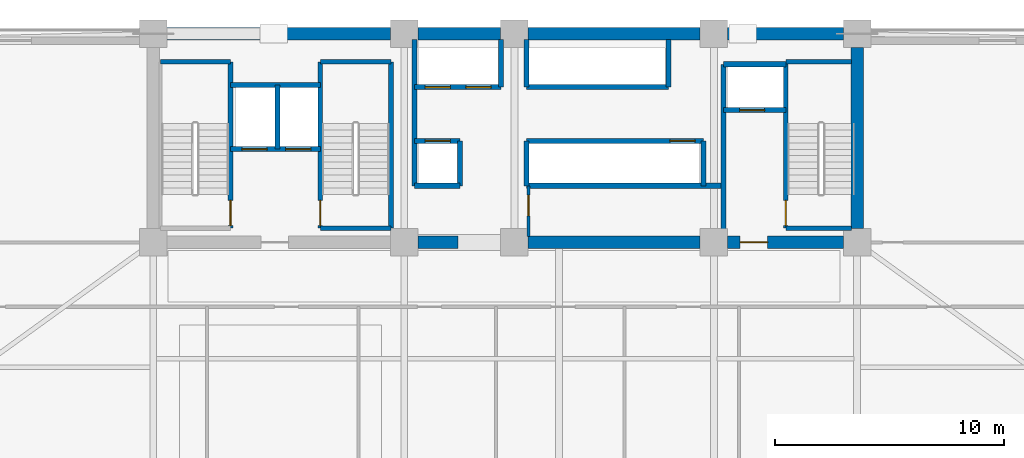
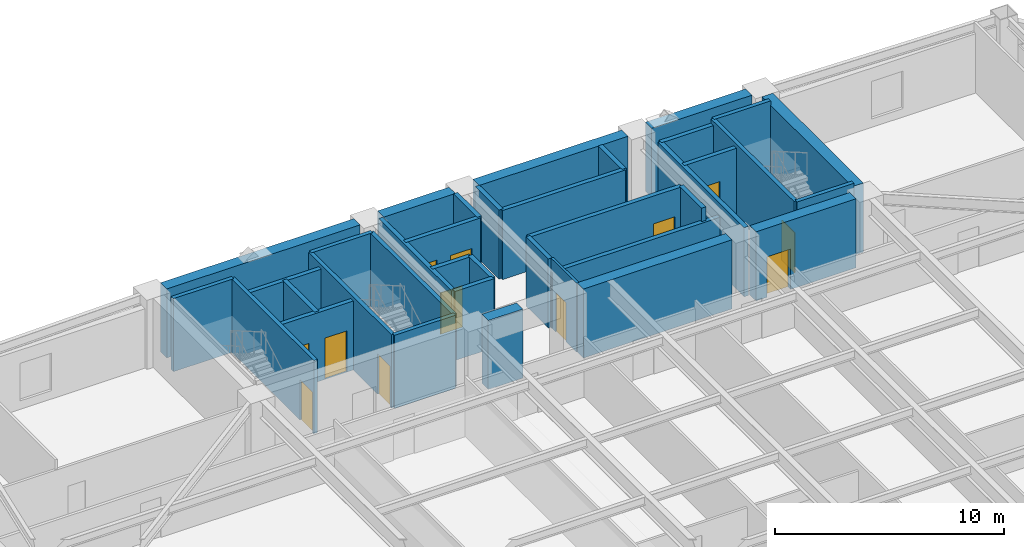
# One storey, part 9 of 15: 37 walls, 12 doors, 12 openings.
"""IFC4 building model written with IfcOpenShell, lengths in metres."""

from ifc_helpers import new_model, si_unit, direction, frame, frame_2d, origin, place, context, subcontext, project, spatial, rectangle, extrude, source, transform, mapped, material, layer, layer_set, type_object, element, fill, save


model = new_model("IFC4")

# Units and contexts
model_context = context("Model", 3, precision=1e-05, world=origin(), true_north=direction((0.0, 1.0)))
body_context = subcontext(model_context, "Body", "Model", "MODEL_VIEW")
ifc_project = project(units=[si_unit("LENGTHUNIT", "METRE"), si_unit("AREAUNIT", "SQUARE_METRE"), si_unit("VOLUMEUNIT", "CUBIC_METRE"), si_unit("PLANEANGLEUNIT", "RADIAN"), si_unit("MASSUNIT", "GRAM", prefix="KILO")], contexts=[model_context])

# Site, building, storey
site_placement = place(None, origin())
site = spatial("IfcSite", under=ifc_project, at=site_placement, CompositionType="ELEMENT")
building_placement = place(site_placement, origin())
building = spatial("IfcBuilding", under=site, at=building_placement, Name="Giltprow Tower", CompositionType="ELEMENT")
storey_placement = place(building_placement, frame((0.0, 0.0, 111.39990234375)))
storey = spatial("IfcBuildingStorey", under=building, at=storey_placement, Name="L27", CompositionType="ELEMENT", Elevation=111.39990234375)

# Wall, openings, doors
ifc_material_1 = material(Name="Concrete C40", Category="concrete")
ifc_layer_1 = layer(ifc_material_1, 0.219970703125, Name="Concrete C40")
ifc_layer_set_1 = layer_set([ifc_layer_1], Name="Concrete C40")
wall_type_1 = type_object("IfcWallType", Name="IW-SHAFT-220", PredefinedType="SOLIDWALL", material=ifc_layer_set_1)
wall_1_placement = place(storey_placement, frame((23.219970703125, 41.52001953125, 0.0), z_axis=(0.0, 0.0, 1.0), x_axis=(1.0, 0.0, 0.0)))
wall_1 = element("IfcWall", 1, at=wall_1_placement, inside=storey, type_object=wall_type_1, Name="L27 FFL1 and Service Lift Front Wall", PredefinedType="SOLIDWALL", context=body_context, shape_type="SweptSolid", body=[
    extrude(rectangle(XDim=3.919921875, YDim=0.219970703125, at=frame_2d((1.9599609375, 0.0))), origin(), (0.0, 0.0, 1.0), 3.68017578125),
])
opening_1_placement = place(wall_1_placement, frame((0.5, 0.0, 0.0)))
opening_1 = element("IfcOpeningElement", 2, at=opening_1_placement, cuts=wall_1, Name="Opening LD-11", PredefinedType="OPENING", context=body_context, shape_type="SweptSolid", body=[
    extrude(rectangle(XDim=1.10009765625, YDim=2.199951171875, at=frame_2d((0.550048828125, 1.10009765625))), frame((0.0, 0.119873046875, 0.0), z_axis=(0.0, -1.0, 0.0), x_axis=(1.0, 0.0, 0.0)), (0.0, 0.0, 1.0), 0.239990234375),
])
opening_2_placement = place(wall_1_placement, frame((2.39990234375, 0.0, 0.0)))
opening_2 = element("IfcOpeningElement", 3, at=opening_2_placement, cuts=wall_1, Name="Opening LD-11", PredefinedType="OPENING", context=body_context, shape_type="SweptSolid", body=[
    extrude(rectangle(XDim=1.10009765625, YDim=2.199951171875, at=frame_2d((0.550048828125, 1.10009765625))), frame((0.0, 0.119873046875, 0.0), z_axis=(0.0, -1.0, 0.0), x_axis=(1.0, 0.0, 0.0)), (0.0, 0.0, 1.0), 0.239990234375),
])
ifc_material_2 = material(Name="Stainless steel", Category="steel")
door_type_1 = type_object("IfcDoorType", Name="DR-LIFT-LD1100", OperationType="SLIDING_TO_LEFT", PredefinedType="DOOR", material=ifc_material_2)
shared_shape_1 = source(origin(), body_context, "Body", "SweptSolid", [
    extrude(rectangle(XDim=1.10009765625, YDim=2.199951171875, at=frame_2d((0.550048828125, 1.10009765625))), frame((0.0, 0.02490234375, 0.0), z_axis=(0.0, -1.0, 0.0), x_axis=(1.0, 0.0, 0.0)), (0.0, 0.0, 1.0), 0.050048828125),
])
door_1_placement = place(opening_1_placement, origin())
door_1 = element("IfcDoor", 4, at=door_1_placement, inside=storey, type_object=door_type_1, Name="L27 FFL1 Landing Door", OperationType="SLIDING_TO_LEFT", OverallHeight=2.199951171875, OverallWidth=1.10009765625, PredefinedType="DOOR", context=body_context, shape_type="MappedRepresentation", body=[
    mapped(shared_shape_1, transform((0.0, 0.0, 0.0), x_axis=(1.0, 0.0, 0.0), y_axis=(0.0, 1.0, 0.0), z_axis=(0.0, 0.0, 1.0), scale=1.0)),
])
fill(opening_1, door_1)
door_2_placement = place(opening_2_placement, origin())
door_2 = element("IfcDoor", 5, at=door_2_placement, inside=storey, type_object=door_type_1, Name="L27 SVL1 Landing Door", OperationType="SLIDING_TO_LEFT", OverallHeight=2.199951171875, OverallWidth=1.10009765625, PredefinedType="DOOR", context=body_context, shape_type="MappedRepresentation", body=[
    mapped(shared_shape_1, transform((0.0, 0.0, 0.0), x_axis=(1.0, 0.0, 0.0), y_axis=(0.0, 1.0, 0.0), z_axis=(0.0, 0.0, 1.0), scale=1.0)),
])
fill(opening_2, door_2)

# Walls
wall_2_placement = place(storey_placement, frame((25.260009765625, 41.52001953125, 0.0), z_axis=(0.0, 0.0, 1.0), x_axis=(0.0, 1.0, 0.0)))
element("IfcWall", 6, at=wall_2_placement, inside=storey, type_object=wall_type_1, Name="L27 FFL1-SVL1 Shaft Divider", PredefinedType="SOLIDWALL", context=body_context, shape_type="SweptSolid", body=[
    extrude(rectangle(XDim=2.800048828125, YDim=0.219970703125, at=frame_2d((1.39990234375, 0.0))), origin(), (0.0, 0.0, 1.0), 3.68017578125),
])
wall_3_placement = place(storey_placement, frame((23.219970703125, 44.320068359375, 0.0), z_axis=(0.0, 0.0, 1.0), x_axis=(1.0, 0.0, 0.0)))
element("IfcWall", 7, at=wall_3_placement, inside=storey, type_object=wall_type_1, Name="L27 FFL1-SVL1 Back Shaft Wall", PredefinedType="SOLIDWALL", context=body_context, shape_type="SweptSolid", body=[
    extrude(rectangle(XDim=3.919921875, YDim=0.219970703125, at=frame_2d((1.9599609375, 0.0))), origin(), (0.0, 0.0, 1.0), 3.68017578125),
])

# Wall, opening, door
wall_4_placement = place(storey_placement, frame((44.719970703125, 43.219970703125, 0.0), z_axis=(0.0, 0.0, 1.0), x_axis=(1.0, 0.0, 0.0)))
wall_4 = element("IfcWall", 8, at=wall_4_placement, inside=storey, type_object=wall_type_1, Name="L27 FFL2 Front Shaft Wall", PredefinedType="SOLIDWALL", context=body_context, shape_type="SweptSolid", body=[
    extrude(rectangle(XDim=2.719970703125, YDim=0.219970703125, at=frame_2d((1.35986328125, 0.0))), origin(), (0.0, 0.0, 1.0), 3.68017578125),
])
opening_3_placement = place(wall_4_placement, frame((0.699951171875, 0.0, 0.0)))
opening_3 = element("IfcOpeningElement", 9, at=opening_3_placement, cuts=wall_4, Name="Opening LD-11", PredefinedType="OPENING", context=body_context, shape_type="SweptSolid", body=[
    extrude(rectangle(XDim=1.10009765625, YDim=2.199951171875, at=frame_2d((0.550048828125, 1.10009765625))), frame((0.0, 0.119873046875, 0.0), z_axis=(0.0, -1.0, 0.0), x_axis=(1.0, 0.0, 0.0)), (0.0, 0.0, 1.0), 0.239990234375),
])
door_3_placement = place(opening_3_placement, origin())
door_3 = element("IfcDoor", 10, at=door_3_placement, inside=storey, type_object=door_type_1, Name="L27 FFL2 Landing Door", OperationType="SLIDING_TO_LEFT", OverallHeight=2.199951171875, OverallWidth=1.10009765625, PredefinedType="DOOR", context=body_context, shape_type="MappedRepresentation", body=[
    mapped(shared_shape_1, transform((0.0, 0.0, 0.0), x_axis=(1.0, 0.0, 0.0), y_axis=(0.0, 1.0, 0.0), z_axis=(0.0, 0.0, 1.0), scale=1.0)),
])
fill(opening_3, door_3)

# Walls
wall_5_placement = place(storey_placement, frame((44.719970703125, 45.219970703125, 0.0), z_axis=(0.0, 0.0, 1.0), x_axis=(1.0, 0.0, 0.0)))
element("IfcWall", 11, at=wall_5_placement, inside=storey, type_object=wall_type_1, Name="L27 FFL2 Back Shaft Wall", PredefinedType="SOLIDWALL", context=body_context, shape_type="SweptSolid", body=[
    extrude(rectangle(XDim=2.719970703125, YDim=0.219970703125, at=frame_2d((1.35986328125, 0.0))), origin(), (0.0, 0.0, 1.0), 3.68017578125),
])
wall_6_placement = place(storey_placement, frame((44.719970703125, 37.705078125, 0.0), z_axis=(0.0, 0.0, 1.0), x_axis=(0.0, 1.0, 0.0)))
element("IfcWall", 12, at=wall_6_placement, inside=storey, type_object=wall_type_1, Name="L27 East Firefighting Lobby West Wall", PredefinedType="SOLIDWALL", context=body_context, shape_type="SweptSolid", body=[
    extrude(rectangle(XDim=7.514892578125, YDim=0.219970703125, at=frame_2d((3.75732421875, 0.0))), origin(), (0.0, 0.0, 1.0), 3.68017578125),
])

# Wall, openings, doors
wall_7_placement = place(storey_placement, frame((31.25, 44.219970703125, 0.0), z_axis=(0.0, 0.0, 1.0), x_axis=(1.0, 0.0, 0.0)))
wall_7 = element("IfcWall", 13, at=wall_7_placement, inside=storey, type_object=wall_type_1, Name="L27 North West Lift Shaft Front Wall", PredefinedType="SOLIDWALL", context=body_context, shape_type="SweptSolid", body=[
    extrude(rectangle(XDim=3.77001953125, YDim=0.219970703125, at=frame_2d((1.885009765625, 0.0))), origin(), (0.0, 0.0, 1.0), 3.68017578125),
])
opening_4_placement = place(wall_7_placement, frame((0.4599609375, 0.0, 0.0)))
opening_4 = element("IfcOpeningElement", 14, at=opening_4_placement, cuts=wall_7, Name="Opening LD-11", PredefinedType="OPENING", context=body_context, shape_type="SweptSolid", body=[
    extrude(rectangle(XDim=1.10009765625, YDim=2.199951171875, at=frame_2d((0.550048828125, 1.10009765625))), frame((0.0, 0.119873046875, 0.0), z_axis=(0.0, -1.0, 0.0), x_axis=(1.0, 0.0, 0.0)), (0.0, 0.0, 1.0), 0.239990234375),
])
opening_5_placement = place(wall_7_placement, frame((2.239990234375, 0.0, 0.0)))
opening_5 = element("IfcOpeningElement", 15, at=opening_5_placement, cuts=wall_7, Name="Opening LD-11", PredefinedType="OPENING", context=body_context, shape_type="SweptSolid", body=[
    extrude(rectangle(XDim=1.10009765625, YDim=2.199951171875, at=frame_2d((0.550048828125, 1.10009765625))), frame((0.0, 0.119873046875, 0.0), z_axis=(0.0, -1.0, 0.0), x_axis=(1.0, 0.0, 0.0)), (0.0, 0.0, 1.0), 0.239990234375),
])
door_4_placement = place(opening_4_placement, origin())
door_4 = element("IfcDoor", 16, at=door_4_placement, inside=storey, type_object=door_type_1, Name="L27 PL-L1 Landing Door", OperationType="SLIDING_TO_LEFT", OverallHeight=2.199951171875, OverallWidth=1.10009765625, PredefinedType="DOOR", context=body_context, shape_type="MappedRepresentation", body=[
    mapped(shared_shape_1, transform((0.0, 0.0, 0.0), x_axis=(1.0, 0.0, 0.0), y_axis=(0.0, 1.0, 0.0), z_axis=(0.0, 0.0, 1.0), scale=1.0)),
])
fill(opening_4, door_4)
door_5_placement = place(opening_5_placement, origin())
door_5 = element("IfcDoor", 17, at=door_5_placement, inside=storey, type_object=door_type_1, Name="L27 PL-L2 Landing Door", OperationType="SLIDING_TO_LEFT", OverallHeight=2.199951171875, OverallWidth=1.10009765625, PredefinedType="DOOR", context=body_context, shape_type="MappedRepresentation", body=[
    mapped(shared_shape_1, transform((0.0, 0.0, 0.0), x_axis=(1.0, 0.0, 0.0), y_axis=(0.0, 1.0, 0.0), z_axis=(0.0, 0.0, 1.0), scale=1.0)),
])
fill(opening_5, door_5)

# Walls
wall_8_placement = place(storey_placement, frame((36.1201171875, 44.219970703125, 0.0), z_axis=(0.0, 0.0, 1.0), x_axis=(1.0, 0.0, 0.0)))
element("IfcWall", 18, at=wall_8_placement, inside=storey, type_object=wall_type_1, Name="L27 North East Lift Shaft Front Wall", PredefinedType="SOLIDWALL", context=body_context, shape_type="SweptSolid", body=[
    extrude(rectangle(XDim=6.199951171875, YDim=0.219970703125, at=frame_2d((3.10009765625, 0.0))), origin(), (0.0, 0.0, 1.0), 3.68017578125),
])
for number, where, z_axis, x_axis, name in (
    (19, (35.02001953125, 44.219970703125, 0.0), (0.0, 0.0, 1.0), (0.0, 1.0, 0.0), "L27 North West Lift Shaft East Closure"),
    (20, (36.1201171875, 44.219970703125, 0.0), (0.0, 0.0, 1.0), (0.0, 1.0, 0.0), "L27 North East Lift Shaft West Closure"),
    (21, (42.320068359375, 44.219970703125, 0.0), (0.0, 0.0, 1.0), (0.0, 1.0, 0.0), "L27 North East Lift Shaft East Closure"),
):
    element("IfcWall", number, at=place(storey_placement, frame(where, z_axis=z_axis, x_axis=x_axis)), inside=storey, type_object=wall_type_1, Name=name, PredefinedType="SOLIDWALL", context=body_context, shape_type="SweptSolid", body=[
        extrude(rectangle(XDim=2.074951171875, YDim=0.219970703125, at=frame_2d((1.03759765625, 0.0))), origin(), (0.0, 0.0, 1.0), 3.68017578125),
    ])

# Wall, opening, door
wall_9_placement = place(storey_placement, frame((31.25, 41.8798828125, 0.0), z_axis=(0.0, 0.0, 1.0), x_axis=(1.0, 0.0, 0.0)))
wall_9 = element("IfcWall", 22, at=wall_9_placement, inside=storey, type_object=wall_type_1, Name="L27 South West Lift Shaft Front Wall", PredefinedType="SOLIDWALL", context=body_context, shape_type="SweptSolid", body=[
    extrude(rectangle(XDim=1.969970703125, YDim=0.219970703125, at=frame_2d((0.98486328125, 0.0))), origin(), (0.0, 0.0, 1.0), 3.68017578125),
])
opening_6_placement = place(wall_9_placement, frame((0.4599609375, 0.0, 0.0)))
opening_6 = element("IfcOpeningElement", 23, at=opening_6_placement, cuts=wall_9, Name="Opening LD-11", PredefinedType="OPENING", context=body_context, shape_type="SweptSolid", body=[
    extrude(rectangle(XDim=1.10009765625, YDim=2.199951171875, at=frame_2d((0.550048828125, 1.10009765625))), frame((0.0, 0.119873046875, 0.0), z_axis=(0.0, -1.0, 0.0), x_axis=(1.0, 0.0, 0.0)), (0.0, 0.0, 1.0), 0.239990234375),
])
door_6_placement = place(opening_6_placement, origin())
door_6 = element("IfcDoor", 24, at=door_6_placement, inside=storey, type_object=door_type_1, Name="L27 PL-L3 Landing Door", OperationType="SLIDING_TO_LEFT", OverallHeight=2.199951171875, OverallWidth=1.10009765625, PredefinedType="DOOR", context=body_context, shape_type="MappedRepresentation", body=[
    mapped(shared_shape_1, transform((0.0, 0.0, 0.0), x_axis=(1.0, 0.0, 0.0), y_axis=(0.0, 1.0, 0.0), z_axis=(0.0, 0.0, 1.0), scale=1.0)),
])
fill(opening_6, door_6)

wall_10_placement = place(storey_placement, frame((36.1201171875, 41.8798828125, 0.0), z_axis=(0.0, 0.0, 1.0), x_axis=(1.0, 0.0, 0.0)))
wall_10 = element("IfcWall", 25, at=wall_10_placement, inside=storey, type_object=wall_type_1, Name="L27 South East Lift Shaft Front Wall", PredefinedType="SOLIDWALL", context=body_context, shape_type="SweptSolid", body=[
    extrude(rectangle(XDim=7.72998046875, YDim=0.219970703125, at=frame_2d((3.864990234375, 0.0))), origin(), (0.0, 0.0, 1.0), 3.68017578125),
])
opening_7_placement = place(wall_10_placement, frame((6.260009765625, 0.0, 0.0)))
opening_7 = element("IfcOpeningElement", 26, at=opening_7_placement, cuts=wall_10, Name="Opening LD-11", PredefinedType="OPENING", context=body_context, shape_type="SweptSolid", body=[
    extrude(rectangle(XDim=1.10009765625, YDim=2.199951171875, at=frame_2d((0.550048828125, 1.10009765625))), frame((0.0, 0.119873046875, 0.0), z_axis=(0.0, -1.0, 0.0), x_axis=(1.0, 0.0, 0.0)), (0.0, 0.0, 1.0), 0.239990234375),
])
door_7_placement = place(opening_7_placement, origin())
door_7 = element("IfcDoor", 27, at=door_7_placement, inside=storey, type_object=door_type_1, Name="L27 PL-L4 Landing Door", OperationType="SLIDING_TO_LEFT", OverallHeight=2.199951171875, OverallWidth=1.10009765625, PredefinedType="DOOR", context=body_context, shape_type="MappedRepresentation", body=[
    mapped(shared_shape_1, transform((0.0, 0.0, 0.0), x_axis=(1.0, 0.0, 0.0), y_axis=(0.0, 1.0, 0.0), z_axis=(0.0, 0.0, 1.0), scale=1.0)),
])
fill(opening_7, door_7)

# Walls
wall_11_placement = place(storey_placement, frame((31.25, 39.919921875, 0.0), z_axis=(0.0, 0.0, 1.0), x_axis=(1.0, 0.0, 0.0)))
element("IfcWall", 28, at=wall_11_placement, inside=storey, type_object=wall_type_1, Name="L27 Low-Rise South Lift Back Wall", PredefinedType="SOLIDWALL", context=body_context, shape_type="SweptSolid", body=[
    extrude(rectangle(XDim=1.969970703125, YDim=0.219970703125, at=frame_2d((0.98486328125, 0.0))), origin(), (0.0, 0.0, 1.0), 3.68017578125),
])
wall_12_placement = place(storey_placement, frame((33.219970703125, 39.919921875, 0.0), z_axis=(0.0, 0.0, 1.0), x_axis=(0.0, 1.0, 0.0)))
element("IfcWall", 29, at=wall_12_placement, inside=storey, type_object=wall_type_1, Name="L27 Low-Rise South Lift East Closure", PredefinedType="SOLIDWALL", context=body_context, shape_type="SweptSolid", body=[
    extrude(rectangle(XDim=1.9599609375, YDim=0.219970703125, at=frame_2d((0.97998046875, 0.0))), origin(), (0.0, 0.0, 1.0), 3.68017578125),
])
wall_13_placement = place(storey_placement, frame((36.1201171875, 39.919921875, 0.0), z_axis=(0.0, 0.0, 1.0), x_axis=(1.0, 0.0, 0.0)))
element("IfcWall", 30, at=wall_13_placement, inside=storey, type_object=wall_type_1, Name="L27 Express South Shaft Back Wall", PredefinedType="SOLIDWALL", context=body_context, shape_type="SweptSolid", body=[
    extrude(rectangle(XDim=8.599853515625, YDim=0.219970703125, at=frame_2d((4.2998046875, 0.0))), origin(), (0.0, 0.0, 1.0), 2.965087890625),
])
wall_14_placement = place(storey_placement, frame((36.1201171875, 39.919921875, 0.0), z_axis=(0.0, 0.0, 1.0), x_axis=(0.0, 1.0, 0.0)))
element("IfcWall", 31, at=wall_14_placement, inside=storey, type_object=wall_type_1, Name="L27 Express South Shaft West Closure", PredefinedType="SOLIDWALL", context=body_context, shape_type="SweptSolid", body=[
    extrude(rectangle(XDim=1.9599609375, YDim=0.219970703125, at=frame_2d((0.97998046875, 0.0))), origin(), (0.0, 0.0, 1.0), 3.68017578125),
])
wall_15_placement = place(storey_placement, frame((31.25, 39.919921875, 0.0), z_axis=(0.0, 0.0, 1.0), x_axis=(0.0, 1.0, 0.0)))
element("IfcWall", 32, at=wall_15_placement, inside=storey, type_object=wall_type_1, Name="L27 Lift Bank West Closure", PredefinedType="SOLIDWALL", context=body_context, shape_type="SweptSolid", body=[
    extrude(rectangle(XDim=6.375, YDim=0.219970703125, at=frame_2d((3.1875, 0.0))), origin(), (0.0, 0.0, 1.0), 3.68017578125),
])
wall_16_placement = place(storey_placement, frame((43.85009765625, 39.919921875, 0.0), z_axis=(0.0, 0.0, 1.0), x_axis=(0.0, 1.0, 0.0)))
element("IfcWall", 33, at=wall_16_placement, inside=storey, type_object=wall_type_1, Name="L27 Lift Bank South-East Closure", PredefinedType="SOLIDWALL", context=body_context, shape_type="SweptSolid", body=[
    extrude(rectangle(XDim=1.9599609375, YDim=0.219970703125, at=frame_2d((0.97998046875, 0.0))), origin(), (0.0, 0.0, 1.0), 3.68017578125),
])

# Wall, opening, door
ifc_layer_2 = layer(ifc_material_1, 0.199951171875, Name="Concrete C40")
ifc_layer_set_2 = layer_set([ifc_layer_2], Name="Concrete C40")
wall_type_2 = type_object("IfcWallType", Name="IW-STAIR-200", PredefinedType="SOLIDWALL", material=ifc_layer_set_2)
wall_17_placement = place(storey_placement, frame((23.219970703125, 38.070068359375, 0.0), z_axis=(0.0, 0.0, 1.0), x_axis=(0.0, 1.0, 0.0)))
wall_17 = element("IfcWall", 34, at=wall_17_placement, inside=storey, type_object=wall_type_2, Name="L27 Stair ST-1 East Bearing Wall", PredefinedType="SOLIDWALL", context=body_context, shape_type="SweptSolid", body=[
    extrude(rectangle(XDim=7.25, YDim=0.199951171875, at=frame_2d((3.625, 0.0))), origin(), (0.0, 0.0, 1.0), 3.900146484375),
])
opening_8_placement = place(wall_17_placement, frame((0.110107421875, 0.0, 0.0)))
opening_8 = element("IfcOpeningElement", 35, at=opening_8_placement, cuts=wall_17, Name="Opening ID33", PredefinedType="OPENING", context=body_context, shape_type="SweptSolid", body=[
    extrude(rectangle(XDim=1.10009765625, YDim=2.14990234375, at=frame_2d((0.550048828125, 1.074951171875))), frame((0.0, 0.10986328125, 0.0), z_axis=(0.0, -1.0, 0.0), x_axis=(1.0, 0.0, 0.0)), (0.0, 0.0, 1.0), 0.219970703125),
])
ifc_material_3 = material(Name="Steel fire leaf", Category="steel")
door_type_2 = type_object("IfcDoorType", Name="DR-STAIR-1100", OperationType="SINGLE_SWING_LEFT", PredefinedType="DOOR", material=ifc_material_3)
shared_shape_2 = source(origin(), body_context, "Body", "SweptSolid", [
    extrude(rectangle(XDim=1.10009765625, YDim=2.14990234375, at=frame_2d((0.550048828125, 1.074951171875))), frame((0.0, 0.02490234375, 0.0), z_axis=(0.0, -1.0, 0.0), x_axis=(1.0, 0.0, 0.0)), (0.0, 0.0, 1.0), 0.050048828125),
])
door_8_placement = place(opening_8_placement, origin())
door_8 = element("IfcDoor", 36, at=door_8_placement, inside=storey, type_object=door_type_2, Name="L27 Stair ST-1 Fire Door", OperationType="SINGLE_SWING_LEFT", OverallHeight=2.14990234375, OverallWidth=1.10009765625, PredefinedType="DOOR", context=body_context, shape_type="MappedRepresentation", body=[
    mapped(shared_shape_2, transform((0.0, 0.0, 0.0), x_axis=(1.0, 0.0, 0.0), y_axis=(0.0, 1.0, 0.0), z_axis=(0.0, 0.0, 1.0), scale=1.0)),
])
fill(opening_8, door_8)

# Wall
wall_18_placement = place(storey_placement, frame((20.169921875, 45.320068359375, 0.0), z_axis=(0.0, 0.0, 1.0), x_axis=(1.0, 0.0, 0.0)))
element("IfcWall", 37, at=wall_18_placement, inside=storey, type_object=wall_type_2, Name="L27 Stair ST-1 North Bearing Wall", PredefinedType="SOLIDWALL", context=body_context, shape_type="SweptSolid", body=[
    extrude(rectangle(XDim=3.050048828125, YDim=0.199951171875, at=frame_2d((1.52490234375, 0.0))), origin(), (0.0, 0.0, 1.0), 3.900146484375),
])

# Wall, opening, door
wall_19_placement = place(storey_placement, frame((27.139892578125, 38.070068359375, 0.0), z_axis=(0.0, 0.0, 1.0), x_axis=(0.0, 1.0, 0.0)))
wall_19 = element("IfcWall", 38, at=wall_19_placement, inside=storey, type_object=wall_type_2, Name="L27 Stair ST-2 West Bearing Wall", PredefinedType="SOLIDWALL", context=body_context, shape_type="SweptSolid", body=[
    extrude(rectangle(XDim=7.25, YDim=0.199951171875, at=frame_2d((3.625, 0.0))), origin(), (0.0, 0.0, 1.0), 3.900146484375),
])
opening_9_placement = place(wall_19_placement, frame((0.110107421875, 0.0, 0.0)))
opening_9 = element("IfcOpeningElement", 39, at=opening_9_placement, cuts=wall_19, Name="Opening ID33", PredefinedType="OPENING", context=body_context, shape_type="SweptSolid", body=[
    extrude(rectangle(XDim=1.10009765625, YDim=2.14990234375, at=frame_2d((0.550048828125, 1.074951171875))), frame((0.0, 0.10986328125, 0.0), z_axis=(0.0, -1.0, 0.0), x_axis=(1.0, 0.0, 0.0)), (0.0, 0.0, 1.0), 0.219970703125),
])
door_9_placement = place(opening_9_placement, origin())
door_9 = element("IfcDoor", 40, at=door_9_placement, inside=storey, type_object=door_type_2, Name="L27 Stair ST-2 Fire Door", OperationType="SINGLE_SWING_RIGHT", OverallHeight=2.14990234375, OverallWidth=1.10009765625, PredefinedType="DOOR", context=body_context, shape_type="MappedRepresentation", body=[
    mapped(shared_shape_2, transform((0.0, 0.0, 0.0), x_axis=(1.0, 0.0, 0.0), y_axis=(0.0, 1.0, 0.0), z_axis=(0.0, 0.0, 1.0), scale=1.0)),
])
fill(opening_9, door_9)

# Walls
wall_20_placement = place(storey_placement, frame((30.219970703125, 38.070068359375, 0.0), z_axis=(0.0, 0.0, 1.0), x_axis=(0.0, 1.0, 0.0)))
element("IfcWall", 41, at=wall_20_placement, inside=storey, type_object=wall_type_2, Name="L27 Stair ST-2 East Bearing Wall", PredefinedType="SOLIDWALL", context=body_context, shape_type="SweptSolid", body=[
    extrude(rectangle(XDim=7.25, YDim=0.199951171875, at=frame_2d((3.625, 0.0))), origin(), (0.0, 0.0, 1.0), 3.900146484375),
])
for number, where, z_axis, x_axis, name in (
    (42, (27.139892578125, 45.320068359375, 0.0), (0.0, 0.0, 1.0), (1.0, 0.0, 0.0), "L27 Stair ST-2 North Bearing Wall"),
    (43, (27.139892578125, 38.070068359375, 0.0), (0.0, 0.0, 1.0), (1.0, 0.0, 0.0), "L27 Stair ST-2 South Bearing Wall"),
):
    element("IfcWall", number, at=place(storey_placement, frame(where, z_axis=z_axis, x_axis=x_axis)), inside=storey, type_object=wall_type_2, Name=name, PredefinedType="SOLIDWALL", context=body_context, shape_type="SweptSolid", body=[
        extrude(rectangle(XDim=3.080078125, YDim=0.199951171875, at=frame_2d((1.5400390625, 0.0))), origin(), (0.0, 0.0, 1.0), 3.900146484375),
    ])

# Wall, opening, door
wall_21_placement = place(storey_placement, frame((47.43994140625, 38.070068359375, 0.0), z_axis=(0.0, 0.0, 1.0), x_axis=(0.0, 1.0, 0.0)))
wall_21 = element("IfcWall", 44, at=wall_21_placement, inside=storey, type_object=wall_type_2, Name="L27 Stair ST-3 West Bearing Wall", PredefinedType="SOLIDWALL", context=body_context, shape_type="SweptSolid", body=[
    extrude(rectangle(XDim=7.25, YDim=0.199951171875, at=frame_2d((3.625, 0.0))), origin(), (0.0, 0.0, 1.0), 3.900146484375),
])
opening_10_placement = place(wall_21_placement, frame((0.110107421875, 0.0, 0.0)))
opening_10 = element("IfcOpeningElement", 45, at=opening_10_placement, cuts=wall_21, Name="Opening ID33", PredefinedType="OPENING", context=body_context, shape_type="SweptSolid", body=[
    extrude(rectangle(XDim=1.10009765625, YDim=2.14990234375, at=frame_2d((0.550048828125, 1.074951171875))), frame((0.0, 0.10986328125, 0.0), z_axis=(0.0, -1.0, 0.0), x_axis=(1.0, 0.0, 0.0)), (0.0, 0.0, 1.0), 0.219970703125),
])
door_10_placement = place(opening_10_placement, origin())
door_10 = element("IfcDoor", 46, at=door_10_placement, inside=storey, type_object=door_type_2, Name="L27 Stair ST-3 Fire Door", OperationType="SINGLE_SWING_LEFT", OverallHeight=2.14990234375, OverallWidth=1.10009765625, PredefinedType="DOOR", context=body_context, shape_type="MappedRepresentation", body=[
    mapped(shared_shape_2, transform((0.0, 0.0, 0.0), x_axis=(1.0, 0.0, 0.0), y_axis=(0.0, 1.0, 0.0), z_axis=(0.0, 0.0, 1.0), scale=1.0)),
])
fill(opening_10, door_10)

# Walls
for number, where, z_axis, x_axis, name in (
    (47, (47.43994140625, 45.320068359375, 0.0), (0.0, 0.0, 1.0), (1.0, 0.0, 0.0), "L27 Stair ST-3 North Bearing Wall"),
    (48, (47.43994140625, 38.070068359375, 0.0), (0.0, 0.0, 1.0), (1.0, 0.0, 0.0), "L27 Stair ST-3 South Bearing Wall"),
):
    element("IfcWall", number, at=place(storey_placement, frame(where, z_axis=z_axis, x_axis=x_axis)), inside=storey, type_object=wall_type_2, Name=name, PredefinedType="SOLIDWALL", context=body_context, shape_type="SweptSolid", body=[
        extrude(rectangle(XDim=2.85498046875, YDim=0.199951171875, at=frame_2d((1.427490234375, 0.0))), origin(), (0.0, 0.0, 1.0), 3.900146484375),
    ])

# Wall, opening, door
ifc_material_4 = material(Name="Concrete C30", Category="concrete")
ifc_layer_3 = layer(ifc_material_4, 0.1298828125, Name="Concrete C30")
ifc_layer_set_3 = layer_set([ifc_layer_3], Name="Concrete C30")
wall_type_3 = type_object("IfcWallType", Name="IW-WET-130", PredefinedType="PARTITIONING", material=ifc_layer_set_3)
wall_22_placement = place(storey_placement, frame((36.219970703125, 37.705078125, 0.0), z_axis=(0.0, 0.0, 1.0), x_axis=(0.0, 1.0, 0.0)))
wall_22 = element("IfcWall", 49, at=wall_22_placement, inside=storey, type_object=wall_type_3, Name="L27 Core Suite West Wall", PredefinedType="PARTITIONING", context=body_context, shape_type="SweptSolid", body=[
    extrude(rectangle(XDim=2.21484375, YDim=0.1298828125, at=frame_2d((1.107421875, 0.0))), origin(), (0.0, 0.0, 1.0), 3.68017578125),
])
opening_11_placement = place(wall_22_placement, frame((0.905029296875, 0.0, 0.0)))
opening_11 = element("IfcOpeningElement", 50, at=opening_11_placement, cuts=wall_22, Name="Opening ID35", PredefinedType="OPENING", context=body_context, shape_type="SweptSolid", body=[
    extrude(rectangle(XDim=0.89990234375, YDim=2.10009765625, at=frame_2d((0.449951171875, 1.050048828125))), frame((0.0, 0.074951171875, 0.0), z_axis=(0.0, -1.0, 0.0), x_axis=(1.0, 0.0, 0.0)), (0.0, 0.0, 1.0), 0.14990234375),
])
door_type_3 = type_object("IfcDoorType", Name="DR-SHAFT-900", OperationType="SINGLE_SWING_LEFT", PredefinedType="DOOR", material=ifc_material_3)
shared_shape_3 = source(origin(), body_context, "Body", "SweptSolid", [
    extrude(rectangle(XDim=0.89990234375, YDim=2.10009765625, at=frame_2d((0.449951171875, 1.050048828125))), frame((0.0, 0.02490234375, 0.0), z_axis=(0.0, -1.0, 0.0), x_axis=(1.0, 0.0, 0.0)), (0.0, 0.0, 1.0), 0.050048828125),
])
door_11_placement = place(opening_11_placement, origin())
door_11 = element("IfcDoor", 51, at=door_11_placement, inside=storey, type_object=door_type_3, Name="L27 Core Staff Washroom Door", OperationType="SINGLE_SWING_RIGHT", OverallHeight=2.10009765625, OverallWidth=0.89990234375, PredefinedType="DOOR", context=body_context, shape_type="MappedRepresentation", body=[
    mapped(shared_shape_3, transform((0.0, 0.0, 0.0), x_axis=(1.0, 0.0, 0.0), y_axis=(0.0, 1.0, 0.0), z_axis=(0.0, 0.0, 1.0), scale=1.0)),
])
fill(opening_11, door_11)

# Walls
ifc_material_5 = material(Name="Concrete C60", Category="concrete")
ifc_layer_4 = layer(ifc_material_5, 0.550048828125, Name="Concrete C60")
ifc_layer_set_4 = layer_set([ifc_layer_4], Name="Concrete C60")
wall_type_4 = type_object("IfcWallType", Name="SW-EXT-550-C60", PredefinedType="SHEAR", material=ifc_layer_set_4)
wall_23_placement = place(storey_placement, frame((20.449951171875, 46.550048828125, 0.0), z_axis=(0.0, 0.0, 1.0), x_axis=(1.0, 0.0, 0.0)))
element("IfcWall", 52, at=wall_23_placement, inside=storey, type_object=wall_type_4, Name="L27 North Rear Core Shear Wall 1", PredefinedType="SHEAR", context=body_context, shape_type="SweptSolid", body=[
    extrude(rectangle(XDim=9.75, YDim=0.550048828125, at=frame_2d((4.875, 0.0))), origin(), (0.0, 0.0, 1.0), 3.68017578125),
])
wall_24_placement = place(storey_placement, frame((31.39990234375, 46.550048828125, 0.0), z_axis=(0.0, 0.0, 1.0), x_axis=(1.0, 0.0, 0.0)))
element("IfcWall", 53, at=wall_24_placement, inside=storey, type_object=wall_type_4, Name="L27 North Rear Core Shear Wall 2", PredefinedType="SHEAR", context=body_context, shape_type="SweptSolid", body=[
    extrude(rectangle(XDim=3.60009765625, YDim=0.550048828125, at=frame_2d((1.800048828125, 0.0))), origin(), (0.0, 0.0, 1.0), 3.68017578125),
])
wall_25_placement = place(storey_placement, frame((36.199951171875, 46.550048828125, 0.0), z_axis=(0.0, 0.0, 1.0), x_axis=(1.0, 0.0, 0.0)))
element("IfcWall", 54, at=wall_25_placement, inside=storey, type_object=wall_type_4, Name="L27 North Rear Core Shear Wall 3", PredefinedType="SHEAR", context=body_context, shape_type="SweptSolid", body=[
    extrude(rectangle(XDim=7.5, YDim=0.550048828125, at=frame_2d((3.75, 0.0))), origin(), (0.0, 0.0, 1.0), 3.68017578125),
])
wall_26_placement = place(storey_placement, frame((44.89990234375, 46.550048828125, 0.0), z_axis=(0.0, 0.0, 1.0), x_axis=(1.0, 0.0, 0.0)))
element("IfcWall", 55, at=wall_26_placement, inside=storey, type_object=wall_type_4, Name="L27 North Rear Core Shear Wall 4", PredefinedType="SHEAR", context=body_context, shape_type="SweptSolid", body=[
    extrude(rectangle(XDim=5.050048828125, YDim=0.550048828125, at=frame_2d((2.52490234375, 0.0))), origin(), (0.0, 0.0, 1.0), 3.68017578125),
])
ifc_layer_5 = layer(ifc_material_5, 0.550048828125, Name="Concrete C60")
ifc_layer_set_5 = layer_set([ifc_layer_5], Name="Concrete C60")
wall_type_5 = type_object("IfcWallType", Name="SW-INT-550-C60", PredefinedType="SHEAR", material=ifc_layer_set_5)
wall_27_placement = place(storey_placement, frame((31.39990234375, 37.449951171875, 0.0), z_axis=(0.0, 0.0, 1.0), x_axis=(1.0, 0.0, 0.0)))
element("IfcWall", 56, at=wall_27_placement, inside=storey, type_object=wall_type_5, Name="L27 South Rear Core Shear Wall Mid-West", PredefinedType="SHEAR", context=body_context, shape_type="SweptSolid", body=[
    extrude(rectangle(XDim=1.75, YDim=0.550048828125, at=frame_2d((0.875, 0.0))), origin(), (0.0, 0.0, 1.0), 3.68017578125),
])
wall_28_placement = place(storey_placement, frame((36.199951171875, 37.449951171875, 0.0), z_axis=(0.0, 0.0, 1.0), x_axis=(1.0, 0.0, 0.0)))
element("IfcWall", 57, at=wall_28_placement, inside=storey, type_object=wall_type_5, Name="L27 South Rear Core Shear Wall Mid-East", PredefinedType="SHEAR", context=body_context, shape_type="SweptSolid", body=[
    extrude(rectangle(XDim=7.5, YDim=0.550048828125, at=frame_2d((3.75, 0.0))), origin(), (0.0, 0.0, 1.0), 3.68017578125),
])

# Wall, opening, door
wall_29_placement = place(storey_placement, frame((44.89990234375, 37.449951171875, 0.0), z_axis=(0.0, 0.0, 1.0), x_axis=(1.0, 0.0, 0.0)))
wall_29 = element("IfcWall", 58, at=wall_29_placement, inside=storey, type_object=wall_type_5, Name="L27 South Rear Core Shear Wall East", PredefinedType="SHEAR", context=body_context, shape_type="SweptSolid", body=[
    extrude(rectangle(XDim=5.050048828125, YDim=0.550048828125, at=frame_2d((2.52490234375, 0.0))), origin(), (0.0, 0.0, 1.0), 3.68017578125),
])
opening_12_placement = place(wall_29_placement, frame((0.550048828125, 0.0, 0.0)))
opening_12 = element("IfcOpeningElement", 59, at=opening_12_placement, cuts=wall_29, Name="Opening ID19", PredefinedType="OPENING", context=body_context, shape_type="SweptSolid", body=[
    extrude(rectangle(XDim=1.199951171875, YDim=2.14990234375, at=frame_2d((0.60009765625, 1.074951171875))), frame((0.0, 0.284912109375, 0.0), z_axis=(0.0, -1.0, 0.0), x_axis=(1.0, 0.0, 0.0)), (0.0, 0.0, 1.0), 0.570068359375),
])
door_type_4 = type_object("IfcDoorType", Name="DR-FFLOBBY-1200", OperationType="SINGLE_SWING_RIGHT", PredefinedType="DOOR", material=ifc_material_3)
shared_shape_4 = source(origin(), body_context, "Body", "SweptSolid", [
    extrude(rectangle(XDim=1.199951171875, YDim=2.14990234375, at=frame_2d((0.60009765625, 1.074951171875))), frame((0.0, 0.02490234375, 0.0), z_axis=(0.0, -1.0, 0.0), x_axis=(1.0, 0.0, 0.0)), (0.0, 0.0, 1.0), 0.050048828125),
])
door_12_placement = place(opening_12_placement, origin())
door_12 = element("IfcDoor", 60, at=door_12_placement, inside=storey, type_object=door_type_4, Name="L27 East Firefighting Lobby Entry Door", OperationType="SINGLE_SWING_RIGHT", OverallHeight=2.14990234375, OverallWidth=1.199951171875, PredefinedType="DOOR", context=body_context, shape_type="MappedRepresentation", body=[
    mapped(shared_shape_4, transform((0.0, 0.0, 0.0), x_axis=(1.0, 0.0, 0.0), y_axis=(0.0, 1.0, 0.0), z_axis=(0.0, 0.0, 1.0), scale=1.0)),
])
fill(opening_12, door_12)

# Wall
wall_30_placement = place(storey_placement, frame((50.550048828125, 38.050048828125, 0.0), z_axis=(0.0, 0.0, 1.0), x_axis=(0.0, 1.0, 0.0)))
element("IfcWall", 61, at=wall_30_placement, inside=storey, type_object=wall_type_5, Name="L27 E Rear Core Shear Wall", PredefinedType="SHEAR", context=body_context, shape_type="SweptSolid", body=[
    extrude(rectangle(XDim=7.89990234375, YDim=0.550048828125, at=frame_2d((3.949951171875, 0.0))), origin(), (0.0, 0.0, 1.0), 3.68017578125),
])

save(model, "model.ifc")
